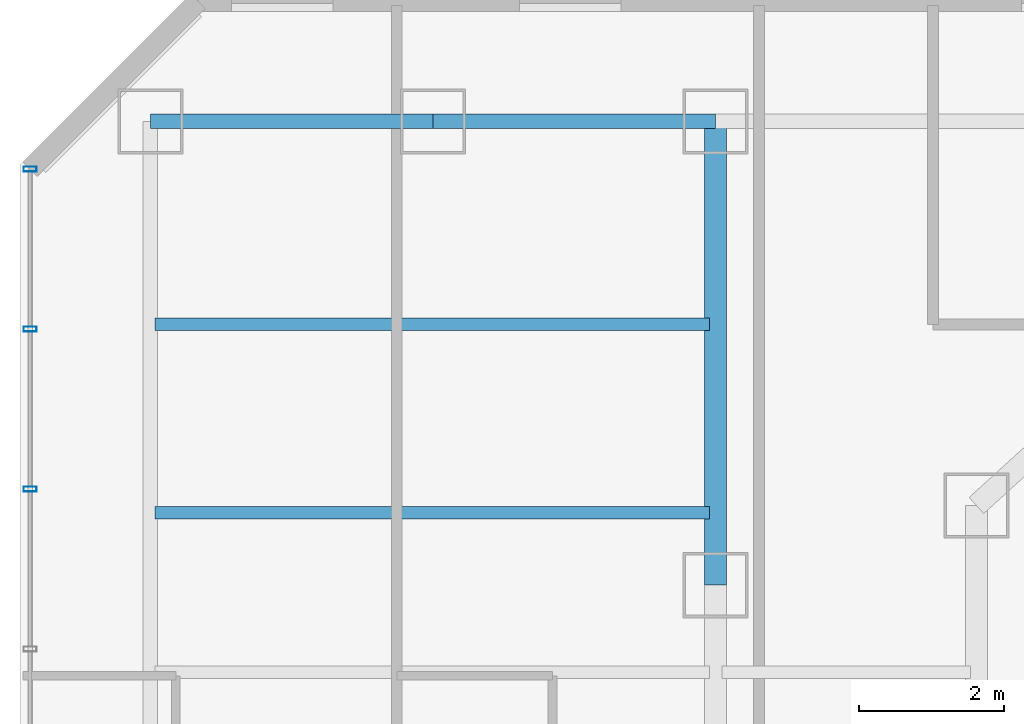
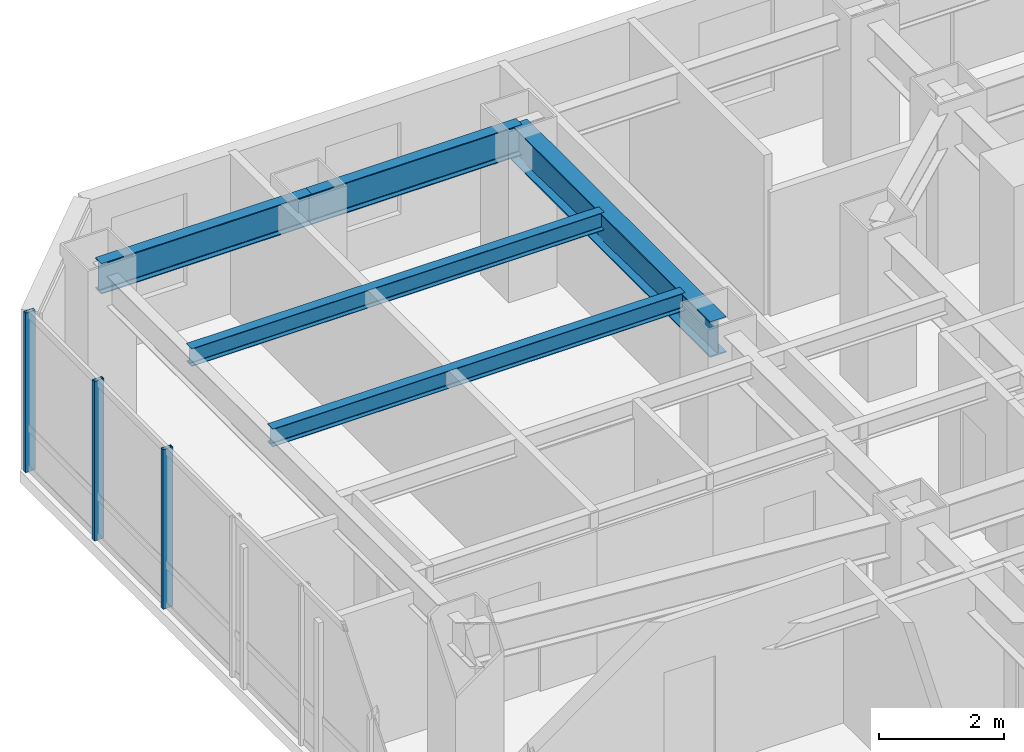
# One storey, part 17 of 30: 5 beams, 3 members, 1 element without a shape of its own.
"""IFC4 building model written with IfcOpenShell, lengths in metres."""

from ifc_helpers import new_model, si_unit, direction, frame, origin, origin_2d, place, context, subcontext, project, spatial, hollow_rectangle, i_section, extrude, material, layer, layer_set, material_profile, profile_set, type_object, element, aggregate, save


model = new_model("IFC4")

# Units and contexts
model_context = context("Model", 3, precision=1e-05, world=origin(), true_north=direction((0.0, 1.0)))
body_context = subcontext(model_context, "Body", "Model", "MODEL_VIEW")
ifc_project = project(units=[si_unit("LENGTHUNIT", "METRE"), si_unit("AREAUNIT", "SQUARE_METRE"), si_unit("VOLUMEUNIT", "CUBIC_METRE"), si_unit("PLANEANGLEUNIT", "RADIAN"), si_unit("MASSUNIT", "GRAM", prefix="KILO")], contexts=[model_context])

# Site, building, storey
site_placement = place(None, origin())
site = spatial("IfcSite", under=ifc_project, at=site_placement, CompositionType="ELEMENT")
building_placement = place(site_placement, origin())
building = spatial("IfcBuilding", under=site, at=building_placement, Name="Hatsunagi Terrace Concourse", CompositionType="ELEMENT")
storey_placement = place(building_placement, frame((0.0, 0.0, 74.60009765625)))
storey = spatial("IfcBuildingStorey", under=building, at=storey_placement, Name="L19", CompositionType="ELEMENT", Elevation=74.60009765625)

# Curtain wall, members
ifc_material_1 = material(Name="Anodised Aluminium Alloy 6063-T5", Category="aluminium")
ifc_layer = layer(ifc_material_1, 0.199951171875)
ifc_layer_set = layer_set([ifc_layer], Name="HotelFacade_CW02")
curtain_wall_type = type_object("IfcCurtainWallType", Name="HotelFacade_CW02", PredefinedType="NOTDEFINED", material=ifc_layer_set)
curtain_wall_placement = place(storey_placement, origin())
curtain_wall = element("IfcCurtainWall", 1, at=curtain_wall_placement, inside=storey, type_object=curtain_wall_type, Name="Unitised Curtain Wall CW-02 CW-L19-09", PredefinedType="NOTDEFINED")
ifc_material_2 = material(Name="Anodised Aluminium Alloy 6063-T5", Category="aluminium")
ifc_material_profile_1 = material_profile(ifc_material_2, hollow_rectangle(XDim=0.070068359375, YDim=0.179931640625, WallThickness=0.00390625, at=origin_2d()), Name="ALU-MUL-180x70x4")
ifc_profile_set_1 = profile_set([ifc_material_profile_1], Name="Anodised Aluminium Alloy 6063-T5")
member_type = type_object("IfcMemberType", Name="CurtainWallMullion_180x70", PredefinedType="MULLION", material=ifc_profile_set_1)
member_1_placement = place(storey_placement, frame((9.739990234375, 43.52490234375, 0.0), z_axis=(0.0, 0.0, 1.0), x_axis=(0.0, 1.0, 0.0)))
member_1 = element("IfcMember", 2, at=member_1_placement, type_object=member_type, Name="Curtain Wall Mullion MUL-02", PredefinedType="MULLION", context=body_context, shape_type="SweptSolid", body=[
    extrude(hollow_rectangle(XDim=0.070068359375, YDim=0.179931640625, WallThickness=0.00390625, at=origin_2d()), origin(), (0.0, 0.0, 1.0), 3.1298828125),
])
member_2_placement = place(storey_placement, frame((9.739990234375, 45.73388671875, 0.0), z_axis=(0.0, 0.0, 1.0), x_axis=(0.0, 1.0, 0.0)))
member_2 = element("IfcMember", 3, at=member_2_placement, type_object=member_type, Name="Curtain Wall Mullion MUL-02", PredefinedType="MULLION", context=body_context, shape_type="SweptSolid", body=[
    extrude(hollow_rectangle(XDim=0.070068359375, YDim=0.179931640625, WallThickness=0.00390625, at=origin_2d()), origin(), (0.0, 0.0, 1.0), 3.1298828125),
])
member_3_placement = place(storey_placement, frame((9.739990234375, 47.94189453125, 0.0), z_axis=(0.0, 0.0, 1.0), x_axis=(0.0, 1.0, 0.0)))
member_3 = element("IfcMember", 4, at=member_3_placement, type_object=member_type, Name="Curtain Wall Mullion MUL-02", PredefinedType="MULLION", context=body_context, shape_type="SweptSolid", body=[
    extrude(hollow_rectangle(XDim=0.070068359375, YDim=0.179931640625, WallThickness=0.00390625, at=origin_2d()), origin(), (0.0, 0.0, 1.0), 3.1298828125),
])
aggregate(curtain_wall, [member_1, member_2, member_3])

# Beams
ifc_material_3 = material(Name="Steel SN490B", Category="steel")
ifc_material_profile_2 = material_profile(ifc_material_3, i_section(OverallWidth=0.300048828125, OverallDepth=0.699951171875, WebThickness=0.012939453125, FlangeThickness=0.02392578125, FilletRadius=0.02197265625, at=origin_2d()), Name="H-700x300x13x24")
ifc_profile_set_2 = profile_set([ifc_material_profile_2], Name="Steel SN490B")
beam_type_1 = type_object("IfcBeamType", Name="HotelFloorGirder_H_700x300", PredefinedType="BEAM", material=ifc_profile_set_2)
beam_1_placement = place(storey_placement, frame((19.199951171875, 42.199951171875, 2.77978515625), z_axis=(0.0, 1.0, 0.0), x_axis=(-1.0, 0.0, 0.0)))
element("IfcBeam", 5, at=beam_1_placement, inside=storey, type_object=beam_type_1, Name="Beam G-04 BM-L19-NS-19-42", PredefinedType="BEAM", context=body_context, shape_type="SweptSolid", body=[
    extrude(i_section(OverallWidth=0.300048828125, OverallDepth=0.699951171875, WebThickness=0.012939453125, FlangeThickness=0.02392578125, FilletRadius=0.02197265625, at=origin_2d()), origin(), (0.0, 0.0, 1.0), 6.400146484375),
])
ifc_material_4 = material(Name="Steel SN490B", Category="steel")
ifc_material_profile_3 = material_profile(ifc_material_4, i_section(OverallWidth=0.175048828125, OverallDepth=0.35009765625, WebThickness=0.007080078125, FlangeThickness=0.010986328125, FilletRadius=0.012939453125, at=origin_2d()), Name="H-350x175x7x11")
ifc_profile_set_3 = profile_set([ifc_material_profile_3], Name="Steel SN490B")
beam_type_2 = type_object("IfcBeamType", Name="HotelJoist_H_350x175", PredefinedType="JOIST", material=ifc_profile_set_3)
for number, where, z_axis, x_axis, name in (
    (6, (11.465087890625, 43.199951171875, 2.954833984375), (1.0, 0.0, 0.0), (0.0, 1.0, 0.0), "Beam J-02 J-L19-W-11-432"),
    (7, (11.465087890625, 45.800048828125, 2.954833984375), (1.0, 0.0, 0.0), (0.0, 1.0, 0.0), "Beam J-02 J-L19-W-11-458"),
):
    element("IfcBeam", number, at=place(storey_placement, frame(where, z_axis=z_axis, x_axis=x_axis)), inside=storey, type_object=beam_type_2, Name=name, PredefinedType="JOIST", context=body_context, shape_type="SweptSolid", body=[
        extrude(i_section(OverallWidth=0.175048828125, OverallDepth=0.35009765625, WebThickness=0.007080078125, FlangeThickness=0.010986328125, FilletRadius=0.012939453125, at=origin_2d()), origin(), (0.0, 0.0, 1.0), 7.64990234375),
    ])
ifc_material_5 = material(Name="Steel SN490B", Category="steel")
ifc_material_profile_4 = material_profile(ifc_material_5, i_section(OverallWidth=0.199951171875, OverallDepth=0.60009765625, WebThickness=0.010986328125, FlangeThickness=0.01708984375, FilletRadius=0.01806640625, at=origin_2d()), Name="H-600x200x11x17")
ifc_profile_set_4 = profile_set([ifc_material_profile_4], Name="Steel SN490B")
beam_type_3 = type_object("IfcBeamType", Name="PerimeterSpandrel_H_600x200", PredefinedType="SPANDREL", material=ifc_profile_set_4)
beam_2_placement = place(storey_placement, frame((11.39990234375, 48.60009765625, 2.829833984375), z_axis=(1.0, 0.0, 0.0), x_axis=(0.0, 1.0, 0.0)))
element("IfcBeam", 8, at=beam_2_placement, inside=storey, type_object=beam_type_3, Name="Beam SP-01 BM-L19-WN-11", PredefinedType="SPANDREL", context=body_context, shape_type="SweptSolid", body=[
    extrude(i_section(OverallWidth=0.199951171875, OverallDepth=0.60009765625, WebThickness=0.010986328125, FlangeThickness=0.01708984375, FilletRadius=0.01806640625, at=origin_2d()), origin(), (0.0, 0.0, 1.0), 3.900146484375),
])
beam_3_placement = place(storey_placement, frame((15.300048828125, 48.60009765625, 2.829833984375), z_axis=(1.0, 0.0, 0.0), x_axis=(0.0, 1.0, 0.0)))
element("IfcBeam", 9, at=beam_3_placement, inside=storey, type_object=beam_type_3, Name="Beam SP-01 BM-L19-WN-15", PredefinedType="SPANDREL", context=body_context, shape_type="SweptSolid", body=[
    extrude(i_section(OverallWidth=0.199951171875, OverallDepth=0.60009765625, WebThickness=0.010986328125, FlangeThickness=0.01708984375, FilletRadius=0.01806640625, at=origin_2d()), origin(), (0.0, 0.0, 1.0), 3.89990234375),
])

save(model, "model.ifc")
